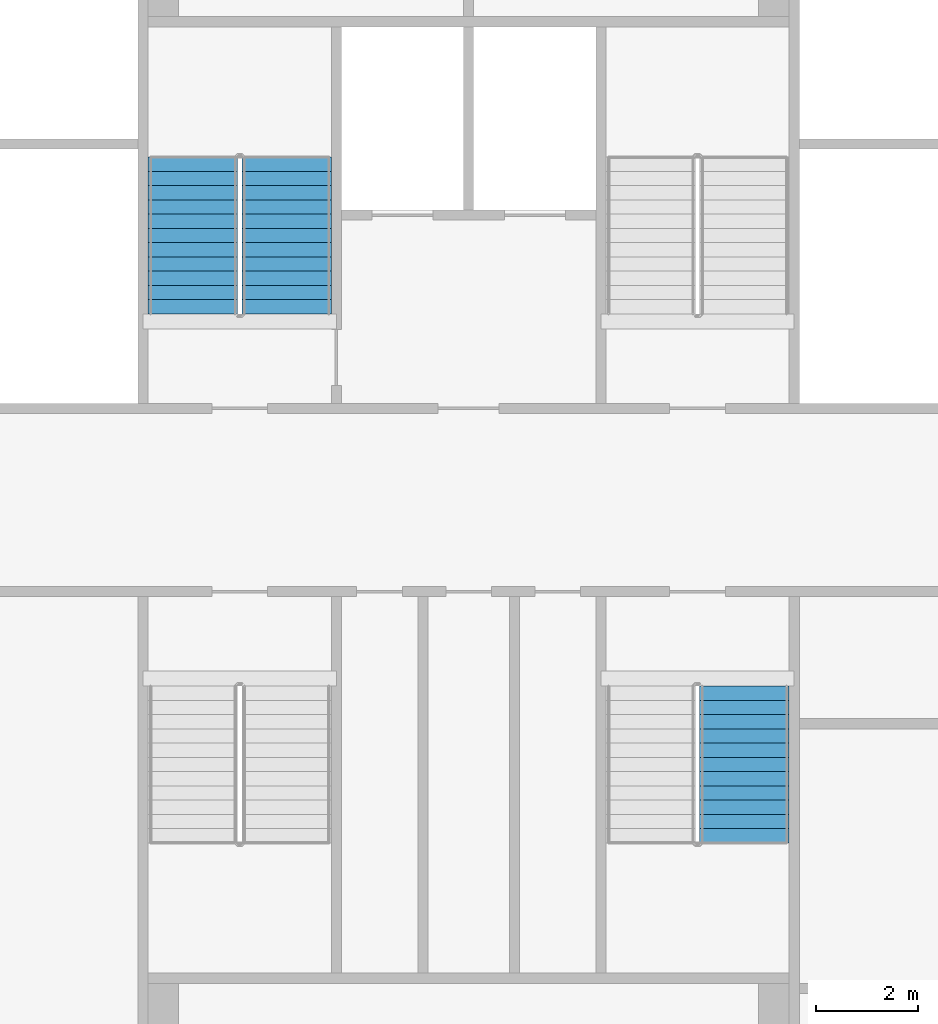
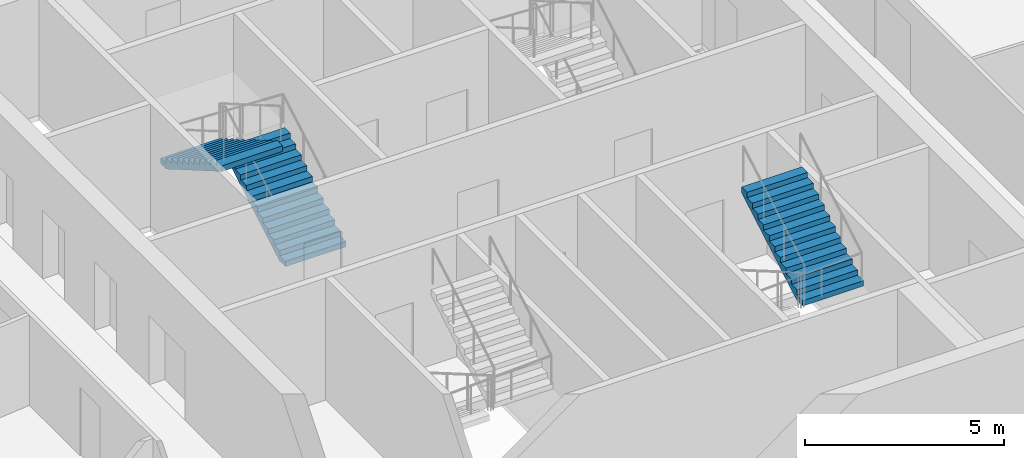
# One storey, part 8 of 14: 3 stair flights, 2 elements without a shape of their own.
"""IFC4 building model written with IfcOpenShell, lengths in metres."""

from ifc_helpers import new_model, si_unit, direction, frame, origin, place, context, subcontext, project, spatial, faceted_brep, material, type_object, element, aggregate, save


model = new_model("IFC4")

# Units and contexts
model_context = context("Model", 3, precision=1e-05, world=origin(), true_north=direction((0.0, 1.0)))
body_context = subcontext(model_context, "Body", "Model", "MODEL_VIEW")
ifc_project = project(units=[si_unit("LENGTHUNIT", "METRE"), si_unit("AREAUNIT", "SQUARE_METRE"), si_unit("VOLUMEUNIT", "CUBIC_METRE"), si_unit("PLANEANGLEUNIT", "RADIAN"), si_unit("MASSUNIT", "GRAM", prefix="KILO")], contexts=[model_context])

# Site, building, storey
site_placement = place(None, origin())
site = spatial("IfcSite", under=ifc_project, at=site_placement, CompositionType="ELEMENT")
building_placement = place(site_placement, origin())
building = spatial("IfcBuilding", under=site, at=building_placement, Name="Tarsis Ring Headquarters", CompositionType="ELEMENT")
storey_placement = place(building_placement, frame((0.0, 0.0, 311.89990234375)))
storey = spatial("IfcBuildingStorey", under=building, at=storey_placement, Name="L73", CompositionType="ELEMENT", Elevation=311.89990234375)

# Stair, stair flights
ifc_material_1 = material(Name="Core stair 1760")
stair_type = type_object("IfcStairType", Name="Core stair 1760", PredefinedType="HALF_TURN_STAIR", material=ifc_material_1)
stair_1_placement = place(storey_placement, origin())
stair_1 = element("IfcStair", 1, at=stair_1_placement, inside=storey, type_object=stair_type, Name="L73 Firefighting stair", PredefinedType="HALF_TURN_STAIR")
ifc_material_2 = material(Name="Concrete C40/50", Category="concrete")
stair_flight_type = type_object("IfcStairFlightType", Name="Core stair flight 1760", PredefinedType="STRAIGHT", material=ifc_material_2)
stair_flight_1_placement = place(storey_placement, frame((-3.580078125, 3.659912109375, 0.0), z_axis=(0.0, 0.0, 1.0), x_axis=(0.0, 1.0, 0.0)))
stair_flight_1 = element("IfcStairFlight", 2, at=stair_flight_1_placement, type_object=stair_flight_type, Name="Stair ST1 flight 1", NumberOfRisers=12, NumberOfTreads=11, PredefinedType="STRAIGHT", RiserHeight=0.1625, TreadLength=0.28, context=body_context, shape_type="Brep", body=[
    faceted_brep([(0.0, 0.8798828125, 0.0), (0.0, 0.8798828125, 0.16259765625), (0.280029296875, 0.8798828125, 0.16259765625), (0.280029296875, 0.8798828125, 0.324951171875), (0.56005859375, 0.8798828125, 0.324951171875), (0.56005859375, 0.8798828125, 0.487548828125), (0.840087890625, 0.8798828125, 0.487548828125), (0.840087890625, 0.8798828125, 0.64990234375), (1.1201171875, 0.8798828125, 0.64990234375), (1.1201171875, 0.8798828125, 0.8125), (1.39990234375, 0.8798828125, 0.8125), (1.39990234375, 0.8798828125, 0.97509765625), (1.679931640625, 0.8798828125, 0.97509765625), (1.679931640625, 0.8798828125, 1.137451171875), (1.9599609375, 0.8798828125, 1.137451171875), (1.9599609375, 0.8798828125, 1.300048828125), (2.239990234375, 0.8798828125, 1.300048828125), (2.239990234375, 0.8798828125, 1.46240234375), (2.52001953125, 0.8798828125, 1.46240234375), (2.52001953125, 0.8798828125, 1.625), (2.800048828125, 0.8798828125, 1.625), (2.800048828125, 0.8798828125, 1.78759765625), (3.080078125, 0.8798828125, 1.78759765625), (3.080078125, 0.8798828125, 1.6142578125), (0.298583984375, 0.8798828125, 0.0), (0.298583984375, -0.8798828125, 0.0), (3.080078125, -0.8798828125, 1.6142578125), (3.080078125, -0.8798828125, 1.78759765625), (2.800048828125, -0.8798828125, 1.78759765625), (2.800048828125, -0.8798828125, 1.625), (2.52001953125, -0.8798828125, 1.625), (2.52001953125, -0.8798828125, 1.46240234375), (2.239990234375, -0.8798828125, 1.46240234375), (2.239990234375, -0.8798828125, 1.300048828125), (1.9599609375, -0.8798828125, 1.300048828125), (1.9599609375, -0.8798828125, 1.137451171875), (1.679931640625, -0.8798828125, 1.137451171875), (1.679931640625, -0.8798828125, 0.97509765625), (1.39990234375, -0.8798828125, 0.97509765625), (1.39990234375, -0.8798828125, 0.8125), (1.1201171875, -0.8798828125, 0.8125), (1.1201171875, -0.8798828125, 0.64990234375), (0.840087890625, -0.8798828125, 0.64990234375), (0.840087890625, -0.8798828125, 0.487548828125), (0.56005859375, -0.8798828125, 0.487548828125), (0.56005859375, -0.8798828125, 0.324951171875), (0.280029296875, -0.8798828125, 0.324951171875), (0.280029296875, -0.8798828125, 0.16259765625), (0.0, -0.8798828125, 0.16259765625), (0.0, -0.8798828125, 0.0), (0.0, -0.43994140625, 0.16259765625), (0.0, -0.43994140625, 0.0), (0.0, 0.0, 0.16259765625), (0.0, 0.0, 0.0), (0.0, 0.43994140625, 0.16259765625), (0.0, 0.43994140625, 0.0), (0.280029296875, -0.43994140625, 0.16259765625), (0.280029296875, 0.0, 0.16259765625), (0.280029296875, 0.43994140625, 0.16259765625), (0.280029296875, -0.43994140625, 0.324951171875), (0.280029296875, 0.0, 0.324951171875), (0.280029296875, 0.43994140625, 0.324951171875), (0.56005859375, -0.43994140625, 0.324951171875), (0.56005859375, 0.0, 0.324951171875), (0.56005859375, 0.43994140625, 0.324951171875), (0.56005859375, -0.43994140625, 0.487548828125), (0.56005859375, 0.0, 0.487548828125), (0.56005859375, 0.43994140625, 0.487548828125), (0.840087890625, -0.43994140625, 0.487548828125), (0.840087890625, 0.0, 0.487548828125), (0.840087890625, 0.43994140625, 0.487548828125), (0.840087890625, -0.43994140625, 0.64990234375), (0.840087890625, 0.0, 0.64990234375), (0.840087890625, 0.43994140625, 0.64990234375), (1.1201171875, -0.43994140625, 0.64990234375), (1.1201171875, 0.0, 0.64990234375), (1.1201171875, 0.43994140625, 0.64990234375), (1.1201171875, -0.43994140625, 0.8125), (1.1201171875, 0.0, 0.8125), (1.1201171875, 0.43994140625, 0.8125), (1.39990234375, -0.43994140625, 0.8125), (1.39990234375, 0.0, 0.8125), (1.39990234375, 0.43994140625, 0.8125), (1.39990234375, -0.43994140625, 0.97509765625), (1.39990234375, 0.0, 0.97509765625), (1.39990234375, 0.43994140625, 0.97509765625), (1.679931640625, -0.43994140625, 0.97509765625), (1.679931640625, 0.0, 0.97509765625), (1.679931640625, 0.43994140625, 0.97509765625), (1.679931640625, -0.43994140625, 1.137451171875), (1.679931640625, 0.0, 1.137451171875), (1.679931640625, 0.43994140625, 1.137451171875), (1.9599609375, -0.43994140625, 1.137451171875), (1.9599609375, 0.0, 1.137451171875), (1.9599609375, 0.43994140625, 1.137451171875), (1.9599609375, -0.43994140625, 1.300048828125), (1.9599609375, 0.0, 1.300048828125), (1.9599609375, 0.43994140625, 1.300048828125), (2.239990234375, -0.43994140625, 1.300048828125), (2.239990234375, 0.0, 1.300048828125), (2.239990234375, 0.43994140625, 1.300048828125), (2.239990234375, -0.43994140625, 1.46240234375), (2.239990234375, 0.0, 1.46240234375), (2.239990234375, 0.43994140625, 1.46240234375), (2.52001953125, -0.43994140625, 1.46240234375), (2.52001953125, 0.0, 1.46240234375), (2.52001953125, 0.43994140625, 1.46240234375), (2.52001953125, -0.43994140625, 1.625), (2.52001953125, 0.0, 1.625), (2.52001953125, 0.43994140625, 1.625), (2.800048828125, -0.43994140625, 1.625), (2.800048828125, 0.0, 1.625), (2.800048828125, 0.43994140625, 1.625), (2.800048828125, -0.43994140625, 1.78759765625), (2.800048828125, 0.0, 1.78759765625), (2.800048828125, 0.43994140625, 1.78759765625), (3.080078125, -0.43994140625, 1.78759765625), (3.080078125, 0.0, 1.78759765625), (3.080078125, 0.43994140625, 1.78759765625), (3.080078125, -0.43994140625, 1.6142578125), (3.080078125, 0.0, 1.6142578125), (3.080078125, 0.43994140625, 1.6142578125), (0.298583984375, -0.43994140625, 0.0), (0.298583984375, 0.0, 0.0), (0.298583984375, 0.43994140625, 0.0)], [[[0, 1, 2, 3, 4, 5, 6, 7, 8, 9, 10, 11, 12, 13, 14, 15, 16, 17, 18, 19, 20, 21, 22, 23, 24]], [[25, 26, 27, 28, 29, 30, 31, 32, 33, 34, 35, 36, 37, 38, 39, 40, 41, 42, 43, 44, 45, 46, 47, 48, 49]], [[49, 48, 50, 51]], [[51, 50, 52, 53]], [[53, 52, 54, 55]], [[55, 54, 1, 0]], [[48, 47, 56, 50]], [[50, 56, 57, 52]], [[52, 57, 58, 54]], [[54, 58, 2, 1]], [[47, 46, 59, 56]], [[56, 59, 60, 57]], [[57, 60, 61, 58]], [[58, 61, 3, 2]], [[46, 45, 62, 59]], [[59, 62, 63, 60]], [[60, 63, 64, 61]], [[61, 64, 4, 3]], [[45, 44, 65, 62]], [[62, 65, 66, 63]], [[63, 66, 67, 64]], [[64, 67, 5, 4]], [[44, 43, 68, 65]], [[65, 68, 69, 66]], [[66, 69, 70, 67]], [[67, 70, 6, 5]], [[43, 42, 71, 68]], [[68, 71, 72, 69]], [[69, 72, 73, 70]], [[70, 73, 7, 6]], [[42, 41, 74, 71]], [[71, 74, 75, 72]], [[72, 75, 76, 73]], [[73, 76, 8, 7]], [[41, 40, 77, 74]], [[74, 77, 78, 75]], [[75, 78, 79, 76]], [[76, 79, 9, 8]], [[40, 39, 80, 77]], [[77, 80, 81, 78]], [[78, 81, 82, 79]], [[79, 82, 10, 9]], [[39, 38, 83, 80]], [[80, 83, 84, 81]], [[81, 84, 85, 82]], [[82, 85, 11, 10]], [[38, 37, 86, 83]], [[83, 86, 87, 84]], [[84, 87, 88, 85]], [[85, 88, 12, 11]], [[37, 36, 89, 86]], [[86, 89, 90, 87]], [[87, 90, 91, 88]], [[88, 91, 13, 12]], [[36, 35, 92, 89]], [[89, 92, 93, 90]], [[90, 93, 94, 91]], [[91, 94, 14, 13]], [[35, 34, 95, 92]], [[92, 95, 96, 93]], [[93, 96, 97, 94]], [[94, 97, 15, 14]], [[34, 33, 98, 95]], [[95, 98, 99, 96]], [[96, 99, 100, 97]], [[97, 100, 16, 15]], [[33, 32, 101, 98]], [[98, 101, 102, 99]], [[99, 102, 103, 100]], [[100, 103, 17, 16]], [[32, 31, 104, 101]], [[101, 104, 105, 102]], [[102, 105, 106, 103]], [[103, 106, 18, 17]], [[31, 30, 107, 104]], [[104, 107, 108, 105]], [[105, 108, 109, 106]], [[106, 109, 19, 18]], [[30, 29, 110, 107]], [[107, 110, 111, 108]], [[108, 111, 112, 109]], [[109, 112, 20, 19]], [[29, 28, 113, 110]], [[110, 113, 114, 111]], [[111, 114, 115, 112]], [[112, 115, 21, 20]], [[28, 27, 116, 113]], [[113, 116, 117, 114]], [[114, 117, 118, 115]], [[115, 118, 22, 21]], [[27, 26, 119, 116]], [[116, 119, 120, 117]], [[117, 120, 121, 118]], [[118, 121, 23, 22]], [[26, 25, 122, 119]], [[119, 122, 123, 120]], [[120, 123, 124, 121]], [[121, 124, 24, 23]], [[25, 49, 51, 122]], [[122, 51, 53, 123]], [[123, 53, 55, 124]], [[124, 55, 0, 24]]]),
])
stair_flight_2_placement = place(storey_placement, frame((-5.419921875, 6.739990234375, 1.9501953125), z_axis=(0.0, 0.0, 1.0), x_axis=(0.0, -1.0, 0.0)))
stair_flight_2 = element("IfcStairFlight", 3, at=stair_flight_2_placement, type_object=stair_flight_type, Name="Stair ST1 flight 2", NumberOfRisers=12, NumberOfTreads=11, PredefinedType="STRAIGHT", RiserHeight=0.1625, TreadLength=0.28, context=body_context, shape_type="Brep", body=[
    faceted_brep([(0.0, 0.8798828125, 0.0), (0.0, 0.8798828125, 0.16259765625), (0.280029296875, 0.8798828125, 0.16259765625), (0.280029296875, 0.8798828125, 0.324951171875), (0.56005859375, 0.8798828125, 0.324951171875), (0.56005859375, 0.8798828125, 0.487548828125), (0.840087890625, 0.8798828125, 0.487548828125), (0.840087890625, 0.8798828125, 0.64990234375), (1.1201171875, 0.8798828125, 0.64990234375), (1.1201171875, 0.8798828125, 0.8125), (1.39990234375, 0.8798828125, 0.8125), (1.39990234375, 0.8798828125, 0.97509765625), (1.679931640625, 0.8798828125, 0.97509765625), (1.679931640625, 0.8798828125, 1.137451171875), (1.9599609375, 0.8798828125, 1.137451171875), (1.9599609375, 0.8798828125, 1.300048828125), (2.239990234375, 0.8798828125, 1.300048828125), (2.239990234375, 0.8798828125, 1.46240234375), (2.52001953125, 0.8798828125, 1.46240234375), (2.52001953125, 0.8798828125, 1.625), (2.800048828125, 0.8798828125, 1.625), (2.800048828125, 0.8798828125, 1.78759765625), (3.080078125, 0.8798828125, 1.78759765625), (3.080078125, 0.8798828125, 1.6142578125), (0.298583984375, 0.8798828125, 0.0), (0.298583984375, -0.8798828125, 0.0), (3.080078125, -0.8798828125, 1.6142578125), (3.080078125, -0.8798828125, 1.78759765625), (2.800048828125, -0.8798828125, 1.78759765625), (2.800048828125, -0.8798828125, 1.625), (2.52001953125, -0.8798828125, 1.625), (2.52001953125, -0.8798828125, 1.46240234375), (2.239990234375, -0.8798828125, 1.46240234375), (2.239990234375, -0.8798828125, 1.300048828125), (1.9599609375, -0.8798828125, 1.300048828125), (1.9599609375, -0.8798828125, 1.137451171875), (1.679931640625, -0.8798828125, 1.137451171875), (1.679931640625, -0.8798828125, 0.97509765625), (1.39990234375, -0.8798828125, 0.97509765625), (1.39990234375, -0.8798828125, 0.8125), (1.1201171875, -0.8798828125, 0.8125), (1.1201171875, -0.8798828125, 0.64990234375), (0.840087890625, -0.8798828125, 0.64990234375), (0.840087890625, -0.8798828125, 0.487548828125), (0.56005859375, -0.8798828125, 0.487548828125), (0.56005859375, -0.8798828125, 0.324951171875), (0.280029296875, -0.8798828125, 0.324951171875), (0.280029296875, -0.8798828125, 0.16259765625), (0.0, -0.8798828125, 0.16259765625), (0.0, -0.8798828125, 0.0), (0.0, -0.43994140625, 0.16259765625), (0.0, -0.43994140625, 0.0), (0.0, 0.0, 0.16259765625), (0.0, 0.0, 0.0), (0.0, 0.43994140625, 0.16259765625), (0.0, 0.43994140625, 0.0), (0.280029296875, -0.43994140625, 0.16259765625), (0.280029296875, 0.0, 0.16259765625), (0.280029296875, 0.43994140625, 0.16259765625), (0.280029296875, -0.43994140625, 0.324951171875), (0.280029296875, 0.0, 0.324951171875), (0.280029296875, 0.43994140625, 0.324951171875), (0.56005859375, -0.43994140625, 0.324951171875), (0.56005859375, 0.0, 0.324951171875), (0.56005859375, 0.43994140625, 0.324951171875), (0.56005859375, -0.43994140625, 0.487548828125), (0.56005859375, 0.0, 0.487548828125), (0.56005859375, 0.43994140625, 0.487548828125), (0.840087890625, -0.43994140625, 0.487548828125), (0.840087890625, 0.0, 0.487548828125), (0.840087890625, 0.43994140625, 0.487548828125), (0.840087890625, -0.43994140625, 0.64990234375), (0.840087890625, 0.0, 0.64990234375), (0.840087890625, 0.43994140625, 0.64990234375), (1.1201171875, -0.43994140625, 0.64990234375), (1.1201171875, 0.0, 0.64990234375), (1.1201171875, 0.43994140625, 0.64990234375), (1.1201171875, -0.43994140625, 0.8125), (1.1201171875, 0.0, 0.8125), (1.1201171875, 0.43994140625, 0.8125), (1.39990234375, -0.43994140625, 0.8125), (1.39990234375, 0.0, 0.8125), (1.39990234375, 0.43994140625, 0.8125), (1.39990234375, -0.43994140625, 0.97509765625), (1.39990234375, 0.0, 0.97509765625), (1.39990234375, 0.43994140625, 0.97509765625), (1.679931640625, -0.43994140625, 0.97509765625), (1.679931640625, 0.0, 0.97509765625), (1.679931640625, 0.43994140625, 0.97509765625), (1.679931640625, -0.43994140625, 1.137451171875), (1.679931640625, 0.0, 1.137451171875), (1.679931640625, 0.43994140625, 1.137451171875), (1.9599609375, -0.43994140625, 1.137451171875), (1.9599609375, 0.0, 1.137451171875), (1.9599609375, 0.43994140625, 1.137451171875), (1.9599609375, -0.43994140625, 1.300048828125), (1.9599609375, 0.0, 1.300048828125), (1.9599609375, 0.43994140625, 1.300048828125), (2.239990234375, -0.43994140625, 1.300048828125), (2.239990234375, 0.0, 1.300048828125), (2.239990234375, 0.43994140625, 1.300048828125), (2.239990234375, -0.43994140625, 1.46240234375), (2.239990234375, 0.0, 1.46240234375), (2.239990234375, 0.43994140625, 1.46240234375), (2.52001953125, -0.43994140625, 1.46240234375), (2.52001953125, 0.0, 1.46240234375), (2.52001953125, 0.43994140625, 1.46240234375), (2.52001953125, -0.43994140625, 1.625), (2.52001953125, 0.0, 1.625), (2.52001953125, 0.43994140625, 1.625), (2.800048828125, -0.43994140625, 1.625), (2.800048828125, 0.0, 1.625), (2.800048828125, 0.43994140625, 1.625), (2.800048828125, -0.43994140625, 1.78759765625), (2.800048828125, 0.0, 1.78759765625), (2.800048828125, 0.43994140625, 1.78759765625), (3.080078125, -0.43994140625, 1.78759765625), (3.080078125, 0.0, 1.78759765625), (3.080078125, 0.43994140625, 1.78759765625), (3.080078125, -0.43994140625, 1.6142578125), (3.080078125, 0.0, 1.6142578125), (3.080078125, 0.43994140625, 1.6142578125), (0.298583984375, -0.43994140625, 0.0), (0.298583984375, 0.0, 0.0), (0.298583984375, 0.43994140625, 0.0)], [[[0, 1, 2, 3, 4, 5, 6, 7, 8, 9, 10, 11, 12, 13, 14, 15, 16, 17, 18, 19, 20, 21, 22, 23, 24]], [[25, 26, 27, 28, 29, 30, 31, 32, 33, 34, 35, 36, 37, 38, 39, 40, 41, 42, 43, 44, 45, 46, 47, 48, 49]], [[49, 48, 50, 51]], [[51, 50, 52, 53]], [[53, 52, 54, 55]], [[55, 54, 1, 0]], [[48, 47, 56, 50]], [[50, 56, 57, 52]], [[52, 57, 58, 54]], [[54, 58, 2, 1]], [[47, 46, 59, 56]], [[56, 59, 60, 57]], [[57, 60, 61, 58]], [[58, 61, 3, 2]], [[46, 45, 62, 59]], [[59, 62, 63, 60]], [[60, 63, 64, 61]], [[61, 64, 4, 3]], [[45, 44, 65, 62]], [[62, 65, 66, 63]], [[63, 66, 67, 64]], [[64, 67, 5, 4]], [[44, 43, 68, 65]], [[65, 68, 69, 66]], [[66, 69, 70, 67]], [[67, 70, 6, 5]], [[43, 42, 71, 68]], [[68, 71, 72, 69]], [[69, 72, 73, 70]], [[70, 73, 7, 6]], [[42, 41, 74, 71]], [[71, 74, 75, 72]], [[72, 75, 76, 73]], [[73, 76, 8, 7]], [[41, 40, 77, 74]], [[74, 77, 78, 75]], [[75, 78, 79, 76]], [[76, 79, 9, 8]], [[40, 39, 80, 77]], [[77, 80, 81, 78]], [[78, 81, 82, 79]], [[79, 82, 10, 9]], [[39, 38, 83, 80]], [[80, 83, 84, 81]], [[81, 84, 85, 82]], [[82, 85, 11, 10]], [[38, 37, 86, 83]], [[83, 86, 87, 84]], [[84, 87, 88, 85]], [[85, 88, 12, 11]], [[37, 36, 89, 86]], [[86, 89, 90, 87]], [[87, 90, 91, 88]], [[88, 91, 13, 12]], [[36, 35, 92, 89]], [[89, 92, 93, 90]], [[90, 93, 94, 91]], [[91, 94, 14, 13]], [[35, 34, 95, 92]], [[92, 95, 96, 93]], [[93, 96, 97, 94]], [[94, 97, 15, 14]], [[34, 33, 98, 95]], [[95, 98, 99, 96]], [[96, 99, 100, 97]], [[97, 100, 16, 15]], [[33, 32, 101, 98]], [[98, 101, 102, 99]], [[99, 102, 103, 100]], [[100, 103, 17, 16]], [[32, 31, 104, 101]], [[101, 104, 105, 102]], [[102, 105, 106, 103]], [[103, 106, 18, 17]], [[31, 30, 107, 104]], [[104, 107, 108, 105]], [[105, 108, 109, 106]], [[106, 109, 19, 18]], [[30, 29, 110, 107]], [[107, 110, 111, 108]], [[108, 111, 112, 109]], [[109, 112, 20, 19]], [[29, 28, 113, 110]], [[110, 113, 114, 111]], [[111, 114, 115, 112]], [[112, 115, 21, 20]], [[28, 27, 116, 113]], [[113, 116, 117, 114]], [[114, 117, 118, 115]], [[115, 118, 22, 21]], [[27, 26, 119, 116]], [[116, 119, 120, 117]], [[117, 120, 121, 118]], [[118, 121, 23, 22]], [[26, 25, 122, 119]], [[119, 122, 123, 120]], [[120, 123, 124, 121]], [[121, 124, 24, 23]], [[25, 49, 51, 122]], [[122, 51, 53, 123]], [[123, 53, 55, 124]], [[124, 55, 0, 24]]]),
])
aggregate(stair_1, [stair_flight_1, stair_flight_2])

# Stair, stair flight
stair_2_placement = place(storey_placement, origin())
stair_2 = element("IfcStair", 4, at=stair_2_placement, inside=storey, type_object=stair_type, Name="L73 Exit stair D", PredefinedType="HALF_TURN_STAIR")
stair_flight_3_placement = place(storey_placement, frame((5.419921875, -6.739990234375, 1.9501953125), z_axis=(0.0, 0.0, 1.0), x_axis=(0.0, 1.0, 0.0)))
stair_flight_3 = element("IfcStairFlight", 5, at=stair_flight_3_placement, type_object=stair_flight_type, Name="Stair ST4 flight 2", NumberOfRisers=12, NumberOfTreads=11, PredefinedType="STRAIGHT", RiserHeight=0.1625, TreadLength=0.28, context=body_context, shape_type="Brep", body=[
    faceted_brep([(0.0, 0.8798828125, 0.0), (0.0, 0.8798828125, 0.16259765625), (0.280029296875, 0.8798828125, 0.16259765625), (0.280029296875, 0.8798828125, 0.324951171875), (0.56005859375, 0.8798828125, 0.324951171875), (0.56005859375, 0.8798828125, 0.487548828125), (0.840087890625, 0.8798828125, 0.487548828125), (0.840087890625, 0.8798828125, 0.64990234375), (1.1201171875, 0.8798828125, 0.64990234375), (1.1201171875, 0.8798828125, 0.8125), (1.39990234375, 0.8798828125, 0.8125), (1.39990234375, 0.8798828125, 0.97509765625), (1.679931640625, 0.8798828125, 0.97509765625), (1.679931640625, 0.8798828125, 1.137451171875), (1.9599609375, 0.8798828125, 1.137451171875), (1.9599609375, 0.8798828125, 1.300048828125), (2.239990234375, 0.8798828125, 1.300048828125), (2.239990234375, 0.8798828125, 1.46240234375), (2.52001953125, 0.8798828125, 1.46240234375), (2.52001953125, 0.8798828125, 1.625), (2.800048828125, 0.8798828125, 1.625), (2.800048828125, 0.8798828125, 1.78759765625), (3.080078125, 0.8798828125, 1.78759765625), (3.080078125, 0.8798828125, 1.6142578125), (0.298583984375, 0.8798828125, 0.0), (0.298583984375, -0.8798828125, 0.0), (3.080078125, -0.8798828125, 1.6142578125), (3.080078125, -0.8798828125, 1.78759765625), (2.800048828125, -0.8798828125, 1.78759765625), (2.800048828125, -0.8798828125, 1.625), (2.52001953125, -0.8798828125, 1.625), (2.52001953125, -0.8798828125, 1.46240234375), (2.239990234375, -0.8798828125, 1.46240234375), (2.239990234375, -0.8798828125, 1.300048828125), (1.9599609375, -0.8798828125, 1.300048828125), (1.9599609375, -0.8798828125, 1.137451171875), (1.679931640625, -0.8798828125, 1.137451171875), (1.679931640625, -0.8798828125, 0.97509765625), (1.39990234375, -0.8798828125, 0.97509765625), (1.39990234375, -0.8798828125, 0.8125), (1.1201171875, -0.8798828125, 0.8125), (1.1201171875, -0.8798828125, 0.64990234375), (0.840087890625, -0.8798828125, 0.64990234375), (0.840087890625, -0.8798828125, 0.487548828125), (0.56005859375, -0.8798828125, 0.487548828125), (0.56005859375, -0.8798828125, 0.324951171875), (0.280029296875, -0.8798828125, 0.324951171875), (0.280029296875, -0.8798828125, 0.16259765625), (0.0, -0.8798828125, 0.16259765625), (0.0, -0.8798828125, 0.0), (0.0, -0.43994140625, 0.16259765625), (0.0, -0.43994140625, 0.0), (0.0, 0.0, 0.16259765625), (0.0, 0.0, 0.0), (0.0, 0.43994140625, 0.16259765625), (0.0, 0.43994140625, 0.0), (0.280029296875, -0.43994140625, 0.16259765625), (0.280029296875, 0.0, 0.16259765625), (0.280029296875, 0.43994140625, 0.16259765625), (0.280029296875, -0.43994140625, 0.324951171875), (0.280029296875, 0.0, 0.324951171875), (0.280029296875, 0.43994140625, 0.324951171875), (0.56005859375, -0.43994140625, 0.324951171875), (0.56005859375, 0.0, 0.324951171875), (0.56005859375, 0.43994140625, 0.324951171875), (0.56005859375, -0.43994140625, 0.487548828125), (0.56005859375, 0.0, 0.487548828125), (0.56005859375, 0.43994140625, 0.487548828125), (0.840087890625, -0.43994140625, 0.487548828125), (0.840087890625, 0.0, 0.487548828125), (0.840087890625, 0.43994140625, 0.487548828125), (0.840087890625, -0.43994140625, 0.64990234375), (0.840087890625, 0.0, 0.64990234375), (0.840087890625, 0.43994140625, 0.64990234375), (1.1201171875, -0.43994140625, 0.64990234375), (1.1201171875, 0.0, 0.64990234375), (1.1201171875, 0.43994140625, 0.64990234375), (1.1201171875, -0.43994140625, 0.8125), (1.1201171875, 0.0, 0.8125), (1.1201171875, 0.43994140625, 0.8125), (1.39990234375, -0.43994140625, 0.8125), (1.39990234375, 0.0, 0.8125), (1.39990234375, 0.43994140625, 0.8125), (1.39990234375, -0.43994140625, 0.97509765625), (1.39990234375, 0.0, 0.97509765625), (1.39990234375, 0.43994140625, 0.97509765625), (1.679931640625, -0.43994140625, 0.97509765625), (1.679931640625, 0.0, 0.97509765625), (1.679931640625, 0.43994140625, 0.97509765625), (1.679931640625, -0.43994140625, 1.137451171875), (1.679931640625, 0.0, 1.137451171875), (1.679931640625, 0.43994140625, 1.137451171875), (1.9599609375, -0.43994140625, 1.137451171875), (1.9599609375, 0.0, 1.137451171875), (1.9599609375, 0.43994140625, 1.137451171875), (1.9599609375, -0.43994140625, 1.300048828125), (1.9599609375, 0.0, 1.300048828125), (1.9599609375, 0.43994140625, 1.300048828125), (2.239990234375, -0.43994140625, 1.300048828125), (2.239990234375, 0.0, 1.300048828125), (2.239990234375, 0.43994140625, 1.300048828125), (2.239990234375, -0.43994140625, 1.46240234375), (2.239990234375, 0.0, 1.46240234375), (2.239990234375, 0.43994140625, 1.46240234375), (2.52001953125, -0.43994140625, 1.46240234375), (2.52001953125, 0.0, 1.46240234375), (2.52001953125, 0.43994140625, 1.46240234375), (2.52001953125, -0.43994140625, 1.625), (2.52001953125, 0.0, 1.625), (2.52001953125, 0.43994140625, 1.625), (2.800048828125, -0.43994140625, 1.625), (2.800048828125, 0.0, 1.625), (2.800048828125, 0.43994140625, 1.625), (2.800048828125, -0.43994140625, 1.78759765625), (2.800048828125, 0.0, 1.78759765625), (2.800048828125, 0.43994140625, 1.78759765625), (3.080078125, -0.43994140625, 1.78759765625), (3.080078125, 0.0, 1.78759765625), (3.080078125, 0.43994140625, 1.78759765625), (3.080078125, -0.43994140625, 1.6142578125), (3.080078125, 0.0, 1.6142578125), (3.080078125, 0.43994140625, 1.6142578125), (0.298583984375, -0.43994140625, 0.0), (0.298583984375, 0.0, 0.0), (0.298583984375, 0.43994140625, 0.0)], [[[0, 1, 2, 3, 4, 5, 6, 7, 8, 9, 10, 11, 12, 13, 14, 15, 16, 17, 18, 19, 20, 21, 22, 23, 24]], [[25, 26, 27, 28, 29, 30, 31, 32, 33, 34, 35, 36, 37, 38, 39, 40, 41, 42, 43, 44, 45, 46, 47, 48, 49]], [[49, 48, 50, 51]], [[51, 50, 52, 53]], [[53, 52, 54, 55]], [[55, 54, 1, 0]], [[48, 47, 56, 50]], [[50, 56, 57, 52]], [[52, 57, 58, 54]], [[54, 58, 2, 1]], [[47, 46, 59, 56]], [[56, 59, 60, 57]], [[57, 60, 61, 58]], [[58, 61, 3, 2]], [[46, 45, 62, 59]], [[59, 62, 63, 60]], [[60, 63, 64, 61]], [[61, 64, 4, 3]], [[45, 44, 65, 62]], [[62, 65, 66, 63]], [[63, 66, 67, 64]], [[64, 67, 5, 4]], [[44, 43, 68, 65]], [[65, 68, 69, 66]], [[66, 69, 70, 67]], [[67, 70, 6, 5]], [[43, 42, 71, 68]], [[68, 71, 72, 69]], [[69, 72, 73, 70]], [[70, 73, 7, 6]], [[42, 41, 74, 71]], [[71, 74, 75, 72]], [[72, 75, 76, 73]], [[73, 76, 8, 7]], [[41, 40, 77, 74]], [[74, 77, 78, 75]], [[75, 78, 79, 76]], [[76, 79, 9, 8]], [[40, 39, 80, 77]], [[77, 80, 81, 78]], [[78, 81, 82, 79]], [[79, 82, 10, 9]], [[39, 38, 83, 80]], [[80, 83, 84, 81]], [[81, 84, 85, 82]], [[82, 85, 11, 10]], [[38, 37, 86, 83]], [[83, 86, 87, 84]], [[84, 87, 88, 85]], [[85, 88, 12, 11]], [[37, 36, 89, 86]], [[86, 89, 90, 87]], [[87, 90, 91, 88]], [[88, 91, 13, 12]], [[36, 35, 92, 89]], [[89, 92, 93, 90]], [[90, 93, 94, 91]], [[91, 94, 14, 13]], [[35, 34, 95, 92]], [[92, 95, 96, 93]], [[93, 96, 97, 94]], [[94, 97, 15, 14]], [[34, 33, 98, 95]], [[95, 98, 99, 96]], [[96, 99, 100, 97]], [[97, 100, 16, 15]], [[33, 32, 101, 98]], [[98, 101, 102, 99]], [[99, 102, 103, 100]], [[100, 103, 17, 16]], [[32, 31, 104, 101]], [[101, 104, 105, 102]], [[102, 105, 106, 103]], [[103, 106, 18, 17]], [[31, 30, 107, 104]], [[104, 107, 108, 105]], [[105, 108, 109, 106]], [[106, 109, 19, 18]], [[30, 29, 110, 107]], [[107, 110, 111, 108]], [[108, 111, 112, 109]], [[109, 112, 20, 19]], [[29, 28, 113, 110]], [[110, 113, 114, 111]], [[111, 114, 115, 112]], [[112, 115, 21, 20]], [[28, 27, 116, 113]], [[113, 116, 117, 114]], [[114, 117, 118, 115]], [[115, 118, 22, 21]], [[27, 26, 119, 116]], [[116, 119, 120, 117]], [[117, 120, 121, 118]], [[118, 121, 23, 22]], [[26, 25, 122, 119]], [[119, 122, 123, 120]], [[120, 123, 124, 121]], [[121, 124, 24, 23]], [[25, 49, 51, 122]], [[122, 51, 53, 123]], [[123, 53, 55, 124]], [[124, 55, 0, 24]]]),
])
aggregate(stair_2, [stair_flight_3])

save(model, "model.ifc")
